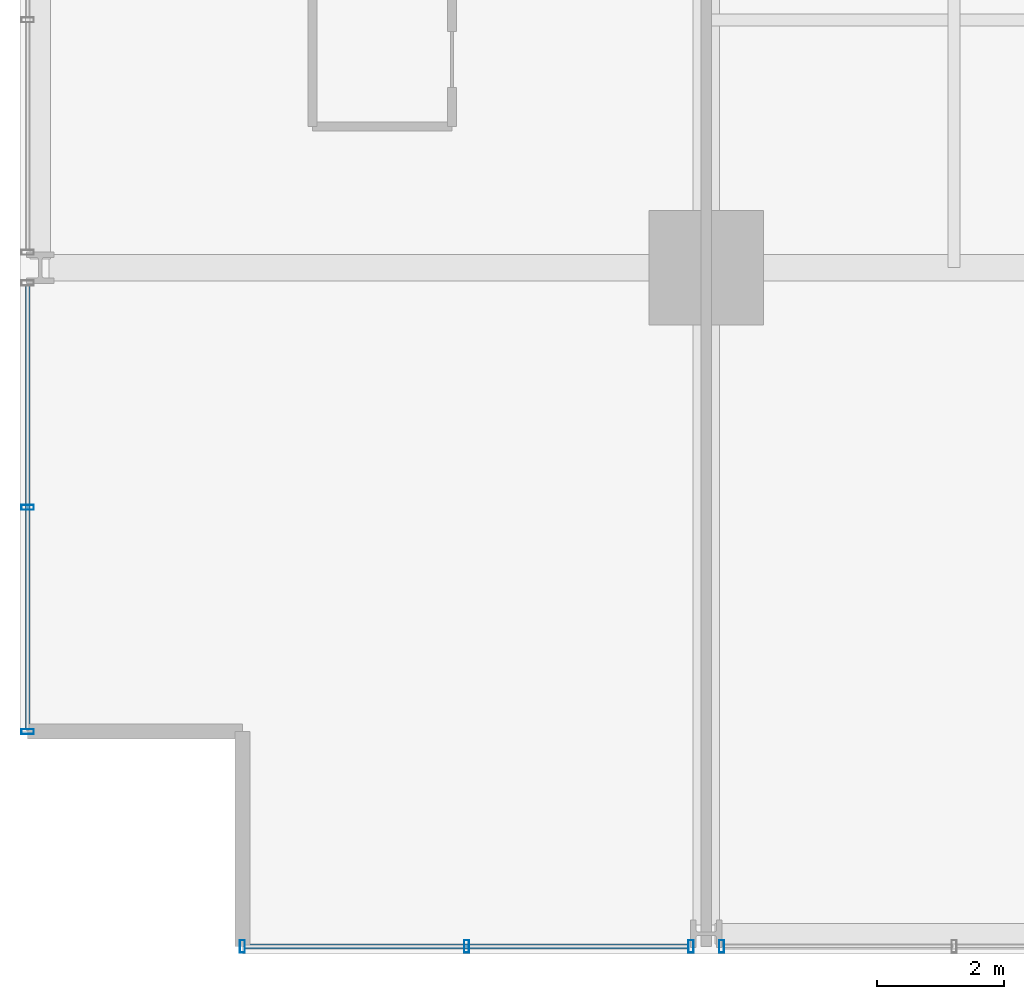
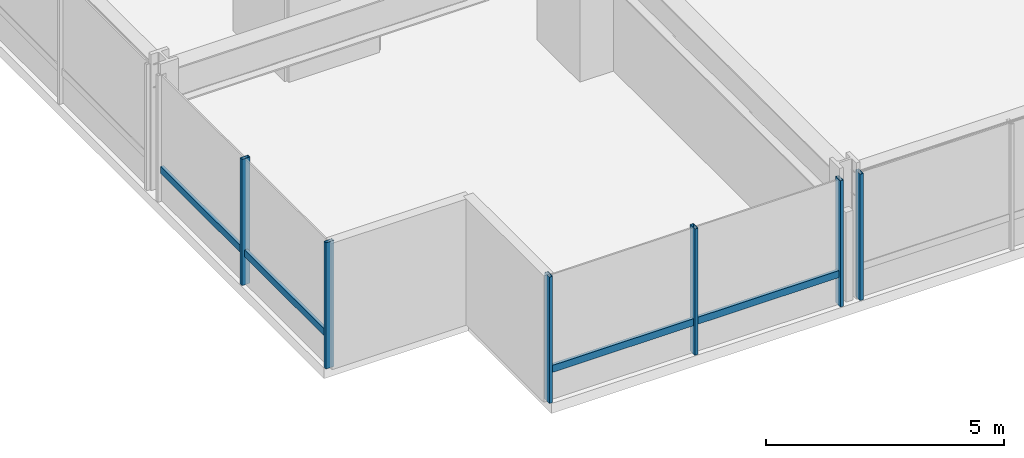
# One storey, part 2 of 37: 8 members, 3 elements without a shape of their own.
"""IFC4 building model written with IfcOpenShell, lengths in metres."""

from ifc_helpers import new_model, si_unit, direction, frame, origin, origin_2d, place, context, subcontext, project, spatial, hollow_rectangle, extrude, material, layer, layer_set, material_profile, profile_set, type_object, element, aggregate, save


model = new_model("IFC4")

# Units and contexts
model_context = context("Model", 3, precision=1e-05, world=origin(), true_north=direction((0.0, 1.0)))
body_context = subcontext(model_context, "Body", "Model", "MODEL_VIEW")
ifc_project = project(units=[si_unit("LENGTHUNIT", "METRE"), si_unit("AREAUNIT", "SQUARE_METRE"), si_unit("VOLUMEUNIT", "CUBIC_METRE"), si_unit("PLANEANGLEUNIT", "RADIAN"), si_unit("MASSUNIT", "GRAM", prefix="KILO")], contexts=[model_context])

# Site, building, storey
site_placement = place(None, origin())
site = spatial("IfcSite", under=ifc_project, at=site_placement, CompositionType="ELEMENT")
building_placement = place(site_placement, origin())
building = spatial("IfcBuilding", under=site, at=building_placement, Name="Drelvath Grand Hotel", CompositionType="ELEMENT")
storey_placement = place(building_placement, frame((0.0, 0.0, 43.699951171875)))
storey = spatial("IfcBuildingStorey", under=building, at=storey_placement, Name="L09", CompositionType="ELEMENT", Elevation=43.699951171875)

# Curtain wall, member
ifc_material = material(Name="Warm Bronze Anodised Aluminium Frame", Category="aluminium")
ifc_layer = layer(ifc_material, 0.199951171875)
ifc_layer_set = layer_set([ifc_layer], Name="Warm Bronze Anodised Aluminium Frame")
curtain_wall_type = type_object("IfcCurtainWallType", Name="Stick Curtain Wall CW-02 Warm Bronze Low-Rise", PredefinedType="NOTDEFINED", material=ifc_layer_set)
curtain_wall_1_placement = place(storey_placement, origin())
curtain_wall_1 = element("IfcCurtainWall", 1, at=curtain_wall_1_placement, inside=storey, type_object=curtain_wall_type, Name="L09 CW-02 Curtain Wall CW02-L09-WS1", PredefinedType="NOTDEFINED")
ifc_material_profile_1 = material_profile(ifc_material, hollow_rectangle(XDim=0.074951171875, YDim=0.179931640625, WallThickness=0.0048828125, at=origin_2d()), Name="HSS180X75X5")
ifc_profile_set_1 = profile_set([ifc_material_profile_1], Name="Warm Bronze Anodised Aluminium Frame")
member_type_1 = type_object("IfcMemberType", Name="Curtain Wall Horizontal Transom CW-02 HSS180X75X5", PredefinedType="USERDEFINED", material=ifc_profile_set_1)
member_1_placement = place(storey_placement, frame((-26.8798828125, 3.5400390625, 0.81005859375), z_axis=(0.0, 1.0, 0.0), x_axis=(-1.0, 0.0, 0.0)))
member_1 = element("IfcMember", 2, at=member_1_placement, type_object=member_type_1, Name="CW02-L09-WS1 Sill Transom", ObjectType="TRANSOM", PredefinedType="USERDEFINED", context=body_context, shape_type="SweptSolid", body=[
    extrude(hollow_rectangle(XDim=0.074951171875, YDim=0.179931640625, WallThickness=0.0048828125, at=origin_2d()), origin(), (0.0, 0.0, 1.0), 6.97900390625),
])

curtain_wall_2_placement = place(storey_placement, origin())
curtain_wall_2 = element("IfcCurtainWall", 3, at=curtain_wall_2_placement, inside=storey, type_object=curtain_wall_type, Name="L09 CW-02 Curtain Wall CW02-L09-SW1", PredefinedType="NOTDEFINED")
member_2_placement = place(storey_placement, frame((-16.48095703125, 0.1201171875, 0.81005859375), z_axis=(-1.0, 0.0, 0.0), x_axis=(0.0, -1.0, 0.0)))
member_2 = element("IfcMember", 4, at=member_2_placement, type_object=member_type_1, Name="CW02-L09-SW1 Sill Transom", ObjectType="TRANSOM", PredefinedType="USERDEFINED", context=body_context, shape_type="SweptSolid", body=[
    extrude(hollow_rectangle(XDim=0.074951171875, YDim=0.179931640625, WallThickness=0.0048828125, at=origin_2d()), origin(), (0.0, 0.0, 1.0), 6.97900390625),
])

# Member
ifc_material_profile_2 = material_profile(ifc_material, hollow_rectangle(XDim=0.080078125, YDim=0.199951171875, WallThickness=0.0048828125, at=origin_2d()), Name="HSS200X80X5")
ifc_profile_set_2 = profile_set([ifc_material_profile_2], Name="Warm Bronze Anodised Aluminium Frame")
member_type_2 = type_object("IfcMemberType", Name="Curtain Wall Vertical Mullion CW-02 HSS200X80X5", PredefinedType="MULLION", material=ifc_profile_set_2)
member_3_placement = place(storey_placement, frame((-26.8798828125, 3.5, 0.0), z_axis=(0.0, 0.0, 1.0), x_axis=(0.0, 1.0, 0.0)))
member_3 = element("IfcMember", 5, at=member_3_placement, type_object=member_type_2, Name="CW02-L09-WS1 Mullion 1", PredefinedType="MULLION", context=body_context, shape_type="SweptSolid", body=[
    extrude(hollow_rectangle(XDim=0.080078125, YDim=0.199951171875, WallThickness=0.0048828125, at=origin_2d()), origin(), (0.0, 0.0, 1.0), 3.239990234375),
])

member_4_placement = place(storey_placement, frame((-26.8798828125, 7.029541015625, 0.0), z_axis=(0.0, 0.0, 1.0), x_axis=(0.0, 1.0, 0.0)))
member_4 = element("IfcMember", 6, at=member_4_placement, type_object=member_type_2, Name="CW02-L09-WS1 Mullion 2", PredefinedType="MULLION", context=body_context, shape_type="SweptSolid", body=[
    extrude(hollow_rectangle(XDim=0.080078125, YDim=0.199951171875, WallThickness=0.0048828125, at=origin_2d()), origin(), (0.0, 0.0, 1.0), 3.239990234375),
])

aggregate(curtain_wall_1, [member_3, member_4, member_1])

member_5_placement = place(storey_placement, frame((-16.44091796875, 0.1201171875, 0.0), z_axis=(0.0, 0.0, 1.0), x_axis=(1.0, 0.0, 0.0)))
member_5 = element("IfcMember", 7, at=member_5_placement, type_object=member_type_2, Name="CW02-L09-SW1 Mullion 1", PredefinedType="MULLION", context=body_context, shape_type="SweptSolid", body=[
    extrude(hollow_rectangle(XDim=0.080078125, YDim=0.199951171875, WallThickness=0.0048828125, at=origin_2d()), origin(), (0.0, 0.0, 1.0), 3.239990234375),
])

member_6_placement = place(storey_placement, frame((-19.970458984375, 0.1201171875, 0.0), z_axis=(0.0, 0.0, 1.0), x_axis=(1.0, 0.0, 0.0)))
member_6 = element("IfcMember", 8, at=member_6_placement, type_object=member_type_2, Name="CW02-L09-SW1 Mullion 2", PredefinedType="MULLION", context=body_context, shape_type="SweptSolid", body=[
    extrude(hollow_rectangle(XDim=0.080078125, YDim=0.199951171875, WallThickness=0.0048828125, at=origin_2d()), origin(), (0.0, 0.0, 1.0), 3.239990234375),
])

member_7_placement = place(storey_placement, frame((-23.5, 0.1201171875, 0.0), z_axis=(0.0, 0.0, 1.0), x_axis=(1.0, 0.0, 0.0)))
member_7 = element("IfcMember", 9, at=member_7_placement, type_object=member_type_2, Name="CW02-L09-SW1 Mullion 3", PredefinedType="MULLION", context=body_context, shape_type="SweptSolid", body=[
    extrude(hollow_rectangle(XDim=0.080078125, YDim=0.199951171875, WallThickness=0.0048828125, at=origin_2d()), origin(), (0.0, 0.0, 1.0), 3.239990234375),
])

aggregate(curtain_wall_2, [member_5, member_6, member_7, member_2])

# Curtain wall, member
curtain_wall_3_placement = place(storey_placement, origin())
curtain_wall_3 = element("IfcCurtainWall", 10, at=curtain_wall_3_placement, inside=storey, type_object=curtain_wall_type, Name="L09 CW-02 Curtain Wall CW02-L09-SW2", PredefinedType="NOTDEFINED")
member_8_placement = place(storey_placement, frame((-15.958984375, 0.1201171875, 0.0), z_axis=(0.0, 0.0, 1.0), x_axis=(1.0, 0.0, 0.0)))
member_8 = element("IfcMember", 11, at=member_8_placement, type_object=member_type_2, Name="CW02-L09-SW2 Mullion 3", PredefinedType="MULLION", context=body_context, shape_type="SweptSolid", body=[
    extrude(hollow_rectangle(XDim=0.080078125, YDim=0.199951171875, WallThickness=0.0048828125, at=origin_2d()), origin(), (0.0, 0.0, 1.0), 3.239990234375),
])
aggregate(curtain_wall_3, [member_8])

save(model, "model.ifc")
